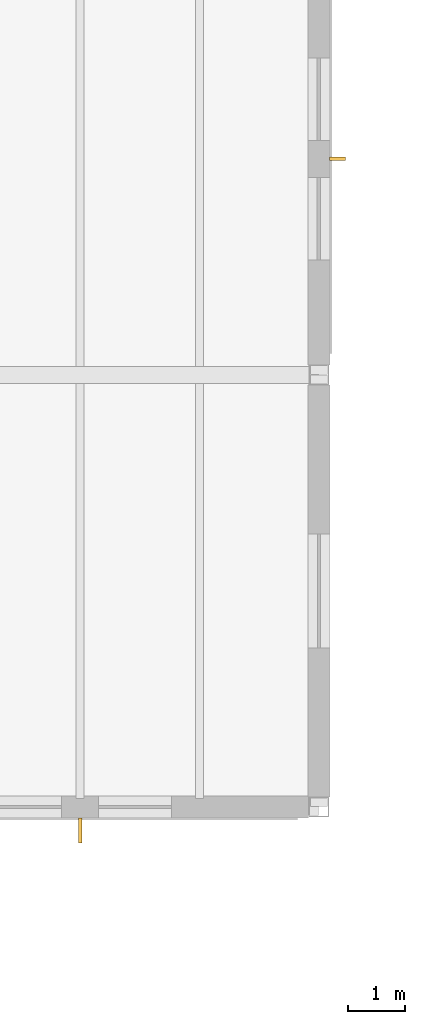
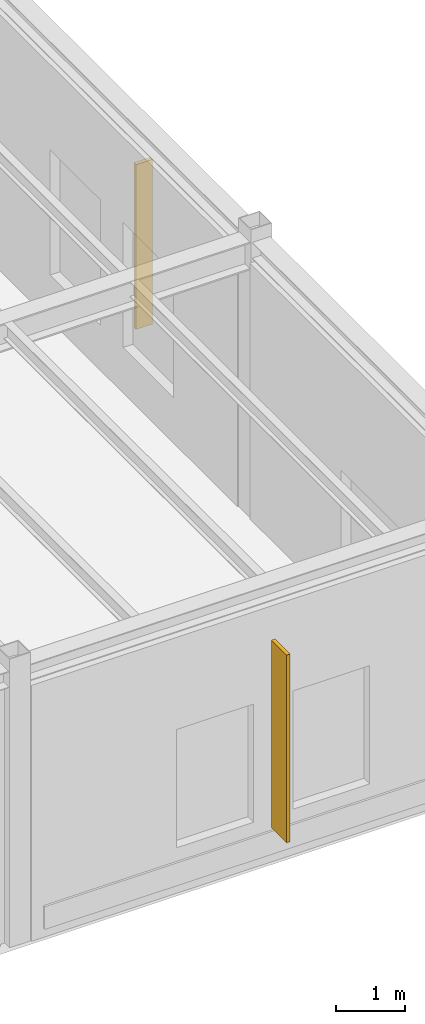
# One storey, part 104 of 109: 2 shading devices.
"""IFC4 building model written with IfcOpenShell, lengths in metres."""

from ifc_helpers import new_model, si_unit, direction, frame, origin, origin_2d, place, context, subcontext, project, spatial, rectangle, extrude, material, type_object, element, save


model = new_model("IFC4")

# Units and contexts
model_context = context("Model", 3, precision=1e-05, world=origin(), true_north=direction((0.0, 1.0)))
body_context = subcontext(model_context, "Body", "Model", "MODEL_VIEW")
ifc_project = project(units=[si_unit("LENGTHUNIT", "METRE"), si_unit("AREAUNIT", "SQUARE_METRE"), si_unit("VOLUMEUNIT", "CUBIC_METRE"), si_unit("PLANEANGLEUNIT", "RADIAN"), si_unit("MASSUNIT", "GRAM", prefix="KILO")], contexts=[model_context])

# Site, building, storey
site_placement = place(None, origin())
site = spatial("IfcSite", under=ifc_project, at=site_placement, CompositionType="ELEMENT")
building_placement = place(site_placement, origin())
building = spatial("IfcBuilding", under=site, at=building_placement, Name="Montecoro Central Library", CompositionType="ELEMENT")
storey_placement = place(building_placement, origin())
storey = spatial("IfcBuildingStorey", under=building, at=storey_placement, Name="L00", CompositionType="ELEMENT", Elevation=0.0)

# Shading devices
ifc_material = material(Name="Architectural bronze solar fin", Category="aluminium")
shading_device_type_1 = type_object("IfcShadingDeviceType", Name="SHD-FIN-01", PredefinedType="USERDEFINED", material=ifc_material)
shading_device_1_placement = place(storey_placement, frame((117.130615234375, 92.39990234375, 0.800048828125), z_axis=(0.0, 0.0, 1.0), x_axis=(0.0, 1.0, 0.0)))
element("IfcShadingDevice", 1, at=shading_device_1_placement, inside=storey, type_object=shading_device_type_1, Name="V2-L00-FIN-E1", ObjectType="SOLAR FIN", PredefinedType="USERDEFINED", context=body_context, shape_type="SweptSolid", body=[
    extrude(rectangle(XDim=0.06005859375, YDim=0.280029296875, at=origin_2d()), origin(), (0.0, 0.0, 1.0), 2.89990234375),
])
shading_device_type_2 = type_object("IfcShadingDeviceType", Name="SHD-FIN-05", PredefinedType="USERDEFINED", material=ifc_material)
shading_device_2_placement = place(storey_placement, frame((112.60009765625, 80.589599609375, 0.60009765625), z_axis=(0.0, 0.0, 1.0), x_axis=(1.0, 0.0, 0.0)))
element("IfcShadingDevice", 2, at=shading_device_2_placement, inside=storey, type_object=shading_device_type_2, Name="V2-L00-FIN-S5", ObjectType="SOLAR FIN", PredefinedType="USERDEFINED", context=body_context, shape_type="SweptSolid", body=[
    extrude(rectangle(XDim=0.06005859375, YDim=0.43994140625, at=origin_2d()), origin(), (0.0, 0.0, 1.0), 3.300048828125),
])

save(model, "model.ifc")
